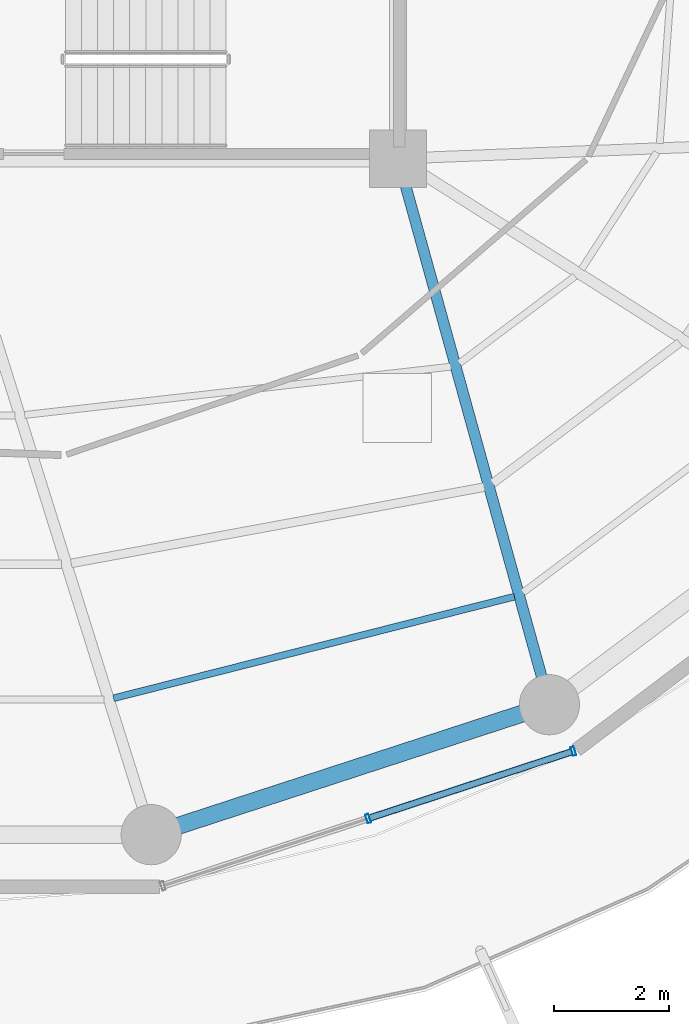
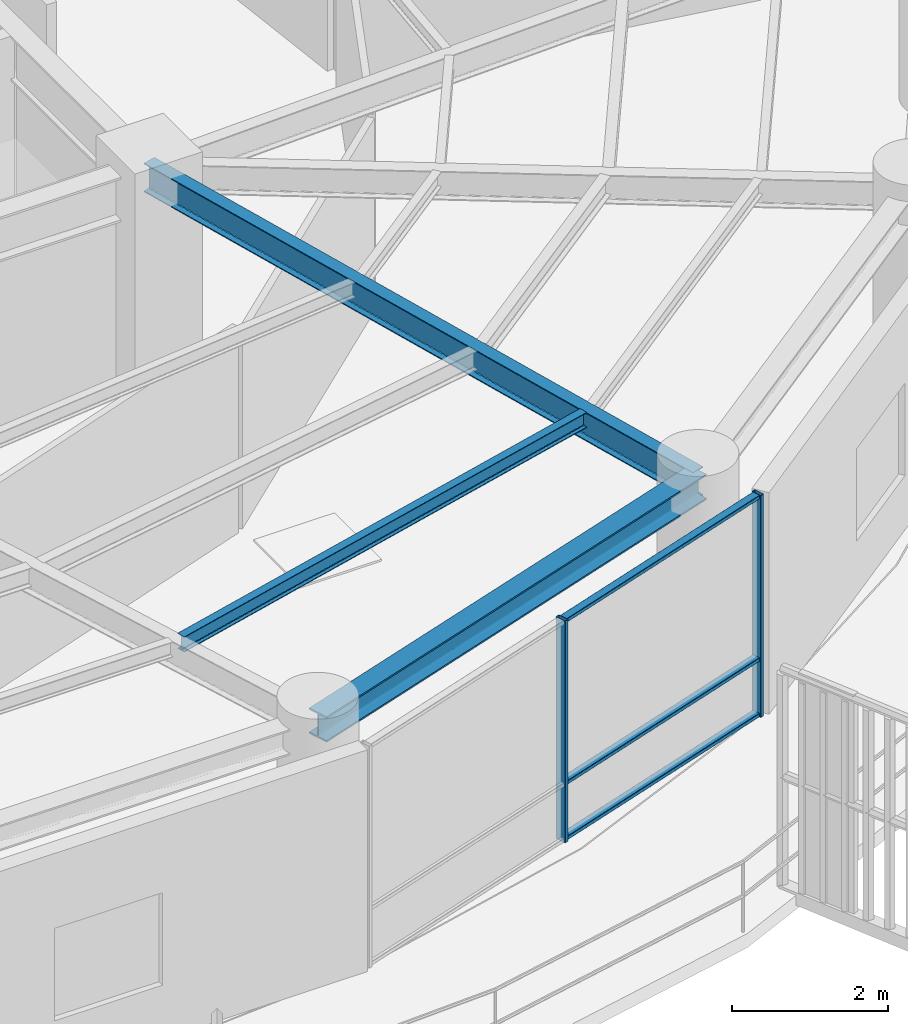
# One storey, part 10 of 31: 5 members, 3 beams, 1 element without a shape of its own.
"""IFC4 building model written with IfcOpenShell, lengths in metres."""

from ifc_helpers import new_model, si_unit, direction, frame, origin, origin_2d, place, context, subcontext, project, spatial, hollow_rectangle, i_section, extrude, material, layer, layer_set, material_profile, profile_set, type_object, element, aggregate, save


model = new_model("IFC4")

# Units and contexts
model_context = context("Model", 3, precision=1e-05, world=origin(), true_north=direction((0.0, 1.0)))
body_context = subcontext(model_context, "Body", "Model", "MODEL_VIEW")
ifc_project = project(units=[si_unit("LENGTHUNIT", "METRE"), si_unit("AREAUNIT", "SQUARE_METRE"), si_unit("VOLUMEUNIT", "CUBIC_METRE"), si_unit("PLANEANGLEUNIT", "RADIAN"), si_unit("MASSUNIT", "GRAM", prefix="KILO")], contexts=[model_context])

# Site, building, storey
site_placement = place(None, origin())
site = spatial("IfcSite", under=ifc_project, at=site_placement, CompositionType="ELEMENT")
building_placement = place(site_placement, origin())
building = spatial("IfcBuilding", under=site, at=building_placement, Name="Kelanora Arch Commons", CompositionType="ELEMENT")
storey_placement = place(building_placement, frame((0.0, 0.0, 219.449951171875)))
storey = spatial("IfcBuildingStorey", under=building, at=storey_placement, Name="L56", CompositionType="ELEMENT", Elevation=219.449951171875)

# Beams
ifc_material_1 = material(Name="Steel S355", Category="steel")
ifc_material_profile_1 = material_profile(ifc_material_1, i_section(OverallWidth=0.1201171875, OverallDepth=0.239990234375, WebThickness=0.006103515625, FlangeThickness=0.009765625, FilletRadius=0.014892578125, at=origin_2d()), Name="IPE240")
ifc_profile_set_1 = profile_set([ifc_material_profile_1], Name="Steel S355")
beam_type_1 = type_object("IfcBeamType", Name="BM-JST-02", PredefinedType="JOIST", material=ifc_profile_set_1)
beam_1_placement = place(storey_placement, frame((77.03857421875, 41.5888671875, 3.3701171875), z_axis=(0.969370989998, 0.245601066263, 0.0), x_axis=(-0.245601066263, 0.969370989998, 0.0)))
element("IfcBeam", 1, at=beam_1_placement, inside=storey, type_object=beam_type_1, Name="Secondary Chord Joist BJC-28 L56", PredefinedType="JOIST", context=body_context, shape_type="SweptSolid", body=[
    extrude(i_section(OverallWidth=0.1201171875, OverallDepth=0.239990234375, WebThickness=0.006103515625, FlangeThickness=0.009765625, FilletRadius=0.014892578125, at=origin_2d()), origin(), (0.0, 0.0, 1.0), 7.2119140625),
])
ifc_material_profile_2 = material_profile(ifc_material_1, i_section(OverallWidth=0.18994140625, OverallDepth=0.449951171875, WebThickness=0.009521484375, FlangeThickness=0.0146484375, FilletRadius=0.02099609375, at=origin_2d()), Name="IPE450")
ifc_profile_set_2 = profile_set([ifc_material_profile_2], Name="Steel S355")
beam_type_2 = type_object("IfcBeamType", Name="BM-RAD-Z4", PredefinedType="BEAM", material=ifc_profile_set_2)
beam_2_placement = place(storey_placement, frame((82.0, 51.0, 3.26513671875), z_axis=(0.267120164296, -0.963663228429, 0.0), x_axis=(0.963663228429, 0.267120164296, 0.0)))
element("IfcBeam", 2, at=beam_2_placement, inside=storey, type_object=beam_type_2, Name="Radial Floor Girder BR-30 L56", PredefinedType="BEAM", context=body_context, shape_type="SweptSolid", body=[
    extrude(i_section(OverallWidth=0.18994140625, OverallDepth=0.449951171875, WebThickness=0.009521484375, FlangeThickness=0.0146484375, FilletRadius=0.02099609375, at=origin_2d()), origin(), (0.0, 0.0, 1.0), 9.8828125),
])
ifc_material_profile_3 = material_profile(ifc_material_1, i_section(OverallWidth=0.300048828125, OverallDepth=0.39990234375, WebThickness=0.013427734375, FlangeThickness=0.02392578125, FilletRadius=0.027099609375, at=origin_2d()), Name="HEB400")
ifc_profile_set_3 = profile_set([ifc_material_profile_3], Name="Steel S355")
beam_type_3 = type_object("IfcBeamType", Name="BM-SPN-Z4", PredefinedType="SPANDREL", material=ifc_profile_set_3)
beam_3_placement = place(storey_placement, frame((77.6953125, 39.2099609375, 3.2900390625), z_axis=(0.950656361143, 0.310245842872, 0.0), x_axis=(-0.310245842872, 0.950656361143, 0.0)))
element("IfcBeam", 3, at=beam_3_placement, inside=storey, type_object=beam_type_3, Name="Perimeter Spandrel Beam BS-28 L56", PredefinedType="SPANDREL", context=body_context, shape_type="SweptSolid", body=[
    extrude(i_section(OverallWidth=0.300048828125, OverallDepth=0.39990234375, WebThickness=0.013427734375, FlangeThickness=0.02392578125, FilletRadius=0.027099609375, at=origin_2d()), origin(), (0.0, 0.0, 1.0), 7.304931640625),
])

# Curtain wall, members
ifc_material_2 = material(Name="Terracotta ceramic-fritted low-E glass and aluminium", Category="masonry")
ifc_layer = layer(ifc_material_2, 0.175048828125)
ifc_layer_set = layer_set([ifc_layer], Name="Terracotta ceramic-fritted low-E glass and aluminium")
curtain_wall_type = type_object("IfcCurtainWallType", Name="CW-SYS-02", PredefinedType="NOTDEFINED", material=ifc_layer_set)
curtain_wall_placement = place(storey_placement, origin())
curtain_wall = element("IfcCurtainWall", 4, at=curtain_wall_placement, inside=storey, type_object=curtain_wall_type, Name="Unitised Curtain Wall L56-B14", PredefinedType="NOTDEFINED")
ifc_material_3 = material(Name="Powder-coated aluminium terracotta", Category="masonry")
ifc_material_profile_4 = material_profile(ifc_material_3, hollow_rectangle(XDim=0.159912109375, YDim=0.06005859375, WallThickness=0.0048828125, InnerFilletRadius=0.0048828125, OuterFilletRadius=0.010009765625, at=origin_2d()), Name="CWM160x60")
ifc_profile_set_4 = profile_set([ifc_material_profile_4], Name="Powder-coated aluminium terracotta")
member_type_1 = type_object("IfcMemberType", Name="CWM-STD", PredefinedType="MULLION", material=ifc_profile_set_4)
member_1_placement = place(storey_placement, frame((81.4775390625, 39.49169921875, 0.0), z_axis=(0.0, 0.0, 1.0), x_axis=(-0.311582439059, 0.950219124029, 0.0)))
member_1 = element("IfcMember", 5, at=member_1_placement, type_object=member_type_1, Name="CW-02 mullion 2", PredefinedType="MULLION", context=body_context, shape_type="SweptSolid", body=[
    extrude(hollow_rectangle(XDim=0.159912109375, YDim=0.06005859375, WallThickness=0.0048828125, InnerFilletRadius=0.0048828125, OuterFilletRadius=0.010009765625, at=origin_2d()), origin(), (0.0, 0.0, 1.0), 3.47509765625),
])
member_2_placement = place(storey_placement, frame((85.05712890625, 40.66552734375, 0.0), z_axis=(0.0, 0.0, 1.0), x_axis=(-0.311582439059, 0.950219124029, 0.0)))
member_2 = element("IfcMember", 6, at=member_2_placement, type_object=member_type_1, Name="CW-02 mullion 3", PredefinedType="MULLION", context=body_context, shape_type="SweptSolid", body=[
    extrude(hollow_rectangle(XDim=0.159912109375, YDim=0.06005859375, WallThickness=0.0048828125, InnerFilletRadius=0.0048828125, OuterFilletRadius=0.010009765625, at=origin_2d()), origin(), (0.0, 0.0, 1.0), 3.47509765625),
])
ifc_material_profile_5 = material_profile(ifc_material_3, hollow_rectangle(XDim=0.1201171875, YDim=0.06005859375, WallThickness=0.0048828125, InnerFilletRadius=0.0048828125, OuterFilletRadius=0.010009765625, at=origin_2d()), Name="CWT120x60")
ifc_profile_set_5 = profile_set([ifc_material_profile_5], Name="Powder-coated aluminium terracotta")
member_type_2 = type_object("IfcMemberType", Name="CWT-STD", PredefinedType="USERDEFINED", material=ifc_profile_set_5)
member_3_placement = place(storey_placement, frame((81.506103515625, 39.5009765625, 0.030029296875), z_axis=(0.950226025222, 0.311561392011, 0.0), x_axis=(-0.311561392011, 0.950226025222, 0.0)))
member_3 = element("IfcMember", 7, at=member_3_placement, type_object=member_type_2, Name="CW-02 transom 2.1", ObjectType="TRANSOM", PredefinedType="USERDEFINED", context=body_context, shape_type="SweptSolid", body=[
    extrude(hollow_rectangle(XDim=0.1201171875, YDim=0.06005859375, WallThickness=0.0048828125, InnerFilletRadius=0.0048828125, OuterFilletRadius=0.010009765625, at=origin_2d()), origin(), (0.0, 0.0, 1.0), 3.707275390625),
])
member_4_placement = place(storey_placement, frame((81.506103515625, 39.5009765625, 0.900146484375), z_axis=(0.950226025222, 0.311561392011, 0.0), x_axis=(-0.311561392011, 0.950226025222, 0.0)))
member_4 = element("IfcMember", 8, at=member_4_placement, type_object=member_type_2, Name="CW-02 transom 2.2", ObjectType="TRANSOM", PredefinedType="USERDEFINED", context=body_context, shape_type="SweptSolid", body=[
    extrude(hollow_rectangle(XDim=0.1201171875, YDim=0.06005859375, WallThickness=0.0048828125, InnerFilletRadius=0.0048828125, OuterFilletRadius=0.010009765625, at=origin_2d()), origin(), (0.0, 0.0, 1.0), 3.707275390625),
])
member_5_placement = place(storey_placement, frame((81.506103515625, 39.5009765625, 3.445068359375), z_axis=(0.950226025222, 0.311561392011, 0.0), x_axis=(-0.311561392011, 0.950226025222, 0.0)))
member_5 = element("IfcMember", 9, at=member_5_placement, type_object=member_type_2, Name="CW-02 transom 2.3", ObjectType="TRANSOM", PredefinedType="USERDEFINED", context=body_context, shape_type="SweptSolid", body=[
    extrude(hollow_rectangle(XDim=0.1201171875, YDim=0.06005859375, WallThickness=0.0048828125, InnerFilletRadius=0.0048828125, OuterFilletRadius=0.010009765625, at=origin_2d()), origin(), (0.0, 0.0, 1.0), 3.707275390625),
])
aggregate(curtain_wall, [member_1, member_2, member_3, member_4, member_5])

save(model, "model.ifc")
